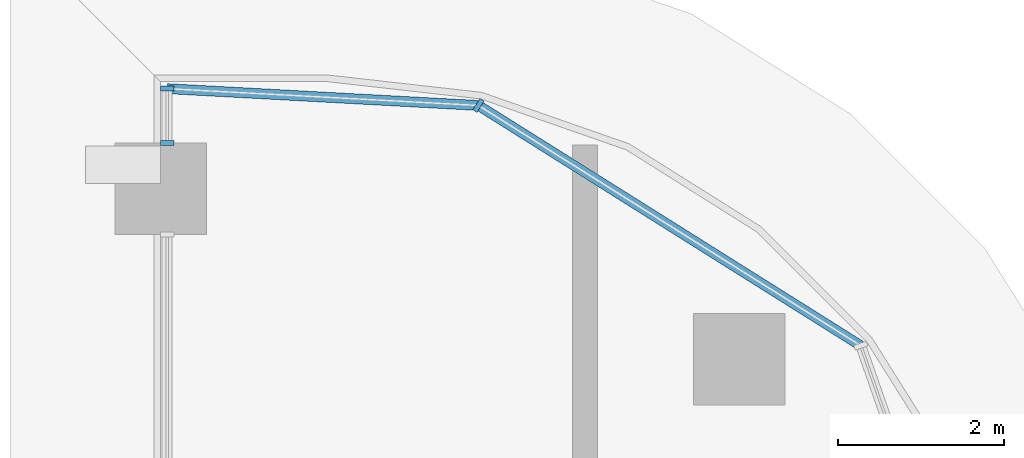
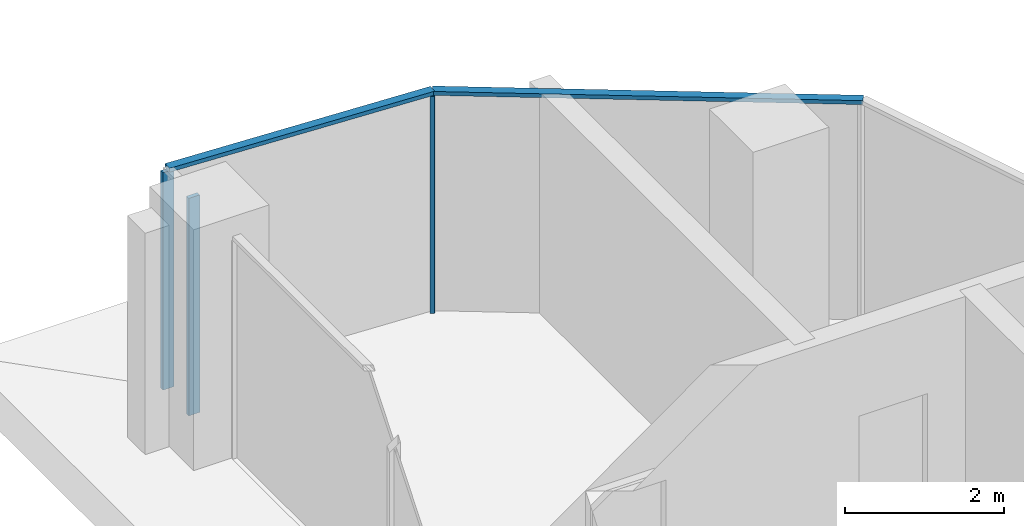
# One storey, part 5 of 27: 5 members, 2 elements without a shape of their own.
"""IFC4 building model written with IfcOpenShell, lengths in metres."""

import ifcopenshell
import ifcopenshell.guid

model = None  # the IFC model being written
_history = None  # IfcOwnerHistory: only IFC2X3 demands one
_inside = {}  # id of a spatial element -> (the spatial element, [elements in it])
_under = {}  # id of a project, library or spatial element -> (it, [spatial elements below it])
_declared = {}  # id of a project -> (the project, [libraries it declares])
_typed = {}  # id of a type object -> (the type object, [elements of that type])
_made_of = {}  # id of a material, layer set ... -> (it, [elements and type objects made of it])


def new_model(schema):
    """Start an empty IFC model of exactly this schema.

    Asked for "IFC4X3", IfcOpenShell would pick the latest addendum, in which some entities
    have other attributes; the version numbers below select the first issue.
    IFC2X3 requires an IfcOwnerHistory on every rooted entity: one is made here for all.
    """
    global model, _history
    if schema == "IFC4X3":
        model = ifcopenshell.file(schema_version=(4, 3, 0, 0))
    else:
        model = ifcopenshell.file(schema=schema)
    _inside.clear()
    _under.clear()
    _declared.clear()
    _typed.clear()
    _made_of.clear()
    _history = None
    if model.schema == "IFC2X3":
        org = make("IfcOrganization", Name="unknown")
        user = make(
            "IfcPersonAndOrganization",
            ThePerson=make("IfcPerson", FamilyName="unknown"),
            TheOrganization=org,
        )
        app = make(
            "IfcApplication",
            ApplicationDeveloper=org,
            Version="unknown",
            ApplicationFullName="unknown",
            ApplicationIdentifier="unknown",
        )
        _history = make(
            "IfcOwnerHistory",
            OwningUser=user,
            OwningApplication=app,
            ChangeAction="ADDED",
            CreationDate=0,
        )
    return model


def make(cls, **values):
    """One entity of the class cls with the attributes given. An attribute that is None is left unset."""
    return model.create_entity(
        cls, **{name: value for name, value in values.items() if value is not None}
    )


def rooted(cls, **values):
    """An entity with a GlobalId (a new one), such as an element, a storey or a relation."""
    return make(cls, GlobalId=ifcopenshell.guid.new(), OwnerHistory=_history, **values)


def si_unit(unit_type, name, prefix=None):
    """IfcSIUnit, for example si_unit("LENGTHUNIT", "METRE", prefix="MILLI")."""
    return make("IfcSIUnit", UnitType=unit_type, Prefix=prefix, Name=name)


def assignment(units):
    """IfcUnitAssignment: the units of a project."""
    return None if units is None else make("IfcUnitAssignment", Units=units)


def point(xyz):
    """IfcCartesianPoint."""
    return None if xyz is None else make("IfcCartesianPoint", Coordinates=xyz)


def direction(xyz):
    """IfcDirection."""
    return None if xyz is None else make("IfcDirection", DirectionRatios=xyz)


def frame(location, z_axis=None, x_axis=None):
    """IfcAxis2Placement3D, a coordinate frame: its origin and axes. An axis left out is left unset."""
    return make(
        "IfcAxis2Placement3D",
        Location=point(location),
        Axis=direction(z_axis),
        RefDirection=direction(x_axis),
    )


def frame_2d(location, x_axis=None):
    """IfcAxis2Placement2D, a coordinate frame in the plane: its origin and x axis."""
    return make(
        "IfcAxis2Placement2D", Location=point(location), RefDirection=direction(x_axis)
    )


def origin():
    """The frame at (0, 0, 0) with its axes left unset."""
    return frame((0.0, 0.0, 0.0))


def origin_2d():
    """The frame at (0, 0) in the plane with its x axis left unset."""
    return frame_2d((0.0, 0.0))


def place(relative_to, where):
    """IfcLocalPlacement: puts the frame where relative to a parent placement (None: the world)."""
    return make(
        "IfcLocalPlacement", PlacementRelTo=relative_to, RelativePlacement=where
    )


def context(
    kind, dimensions, precision=None, world=None, true_north=None, identifier=None
):
    """IfcGeometricRepresentationContext, for example the 3D "Model" context."""
    return make(
        "IfcGeometricRepresentationContext",
        ContextIdentifier=identifier,
        ContextType=kind,
        CoordinateSpaceDimension=dimensions,
        Precision=precision,
        WorldCoordinateSystem=world,
        TrueNorth=true_north,
    )


def subcontext(parent, identifier, kind, view, scale=None):
    """IfcGeometricRepresentationSubContext, for example "Body" below "Model"."""
    return make(
        "IfcGeometricRepresentationSubContext",
        ContextIdentifier=identifier,
        ContextType=kind,
        ParentContext=parent,
        TargetScale=scale,
        TargetView=view,
    )


def project(units=None, contexts=None):
    """IfcProject with its units and contexts."""
    return rooted(
        "IfcProject",
        Name="project",
        RepresentationContexts=contexts,
        UnitsInContext=assignment(units),
    )


def spatial(cls, under=None, at=None, **own):
    """A site, building, storey or space (cls), placed at a placement, below another one or the project."""
    s = rooted(cls, ObjectPlacement=at, **own)
    if under is not None:
        _under.setdefault(under.id(), (under, []))[1].append(s)
    return s


def profile(cls, at=None, kind="AREA", **sizes):
    """A parametric profile (cls). Its sizes go by their IFC names, for example OverallWidth=200.0."""
    return make(cls, ProfileType=kind, Position=at, **sizes)


def rectangle(**sizes):
    """IfcRectangleProfileDef."""
    return profile("IfcRectangleProfileDef", **sizes)


def extrude(swept, where, along, depth):
    """IfcExtrudedAreaSolid: the profile swept, set in the frame where, extruded along a direction by depth."""
    return make(
        "IfcExtrudedAreaSolid",
        SweptArea=swept,
        Position=where,
        ExtrudedDirection=direction(along),
        Depth=depth,
    )


def shape(context_of_items, identifier, shape_type, items):
    """IfcShapeRepresentation: the items that make up one representation, for example the "Body"."""
    return make(
        "IfcShapeRepresentation",
        ContextOfItems=context_of_items,
        RepresentationIdentifier=identifier,
        RepresentationType=shape_type,
        Items=items,
    )


def material(Name=None, Category=None):
    """IfcMaterial."""
    return make("IfcMaterial", Name=Name, Category=Category)


def material_profile(
    of_material, cross_section, Name=None, Category=None, Priority=None
):
    """IfcMaterialProfile: a cross section and its material."""
    return make(
        "IfcMaterialProfile",
        Name=Name,
        Material=of_material,
        Profile=cross_section,
        Priority=Priority,
        Category=Category,
    )


def profile_set(profiles, Name=None, composite=None):
    """IfcMaterialProfileSet."""
    return make(
        "IfcMaterialProfileSet",
        Name=Name,
        MaterialProfiles=profiles,
        CompositeProfile=composite,
    )


def made_of(thing, what):
    """Note that an element or type object is made of a material, layer set ...; save() writes the relation."""
    if what is not None:
        _made_of.setdefault(what.id(), (what, []))[1].append(thing)
    return thing


def type_object(cls, material=None, **own):
    """A type object (cls), such as IfcWallType, which elements share."""
    return made_of(rooted(cls, **own), material)


def element(
    cls,
    number,
    at=None,
    inside=None,
    cuts=None,
    type_object=None,
    material=None,
    context=None,
    identifier="Body",
    shape_type=None,
    held_by="IfcProductDefinitionShape",
    body=None,
    shapes=None,
    **own,
):
    """One element of the class cls, such as IfcWall. Its Tag is "e" and its number.

    at: its placement. inside: the storey or other place that contains it. cuts: it is an
    opening in that element (IfcRelVoidsElement). A single representation is given by context,
    identifier, shape_type and body (its items); several are given by shapes. held_by: the class
    of the entity that holds the representations. save() writes the other relations.
    """
    e = rooted(cls, Tag="e%d" % number, ObjectPlacement=at, **own)
    if body is not None:
        shapes = [shape(context, identifier, shape_type, body)]
    if shapes is not None:
        e.Representation = make(held_by, Representations=shapes)
    if inside is not None:
        _inside.setdefault(inside.id(), (inside, []))[1].append(e)
    if cuts is not None:
        rooted(
            "IfcRelVoidsElement", RelatingBuildingElement=cuts, RelatedOpeningElement=e
        )
    if type_object is not None:
        _typed.setdefault(type_object.id(), (type_object, []))[1].append(e)
    return made_of(e, material)


def aggregate(whole, parts):
    """IfcRelAggregates: a whole, such as a stair, and the parts it consists of."""
    return rooted("IfcRelAggregates", RelatingObject=whole, RelatedObjects=parts)


def save(model, path):
    """Write the relations noted so far, then the file.

    IfcRelAggregates (storeys below a building ...), IfcRelContainedInSpatialStructure (elements
    in a storey), IfcRelDefinesByType, IfcRelAssociatesMaterial and IfcRelDeclares: one each for
    every whole, place, type object, material and project.
    """
    for whole, parts in _under.values():
        aggregate(whole, parts)
    for where, things in _inside.values():
        rooted(
            "IfcRelContainedInSpatialStructure",
            RelatedElements=things,
            RelatingStructure=where,
        )
    for kind, things in _typed.values():
        rooted("IfcRelDefinesByType", RelatedObjects=things, RelatingType=kind)
    for what, things in _made_of.values():
        rooted("IfcRelAssociatesMaterial", RelatedObjects=things, RelatingMaterial=what)
    for by, libraries in _declared.values():
        rooted("IfcRelDeclares", RelatingContext=by, RelatedDefinitions=libraries)
    model.write(path)


model = new_model("IFC4")

# Units and contexts
model_context = context("Model", 3, precision=1e-05, world=origin(), true_north=direction((0.0, 1.0)))
body_context = subcontext(model_context, "Body", "Model", "MODEL_VIEW")
ifc_project = project(units=[si_unit("LENGTHUNIT", "METRE"), si_unit("AREAUNIT", "SQUARE_METRE"), si_unit("VOLUMEUNIT", "CUBIC_METRE"), si_unit("PLANEANGLEUNIT", "RADIAN"), si_unit("MASSUNIT", "GRAM", prefix="KILO")], contexts=[model_context])

# Site, building, storey
site_placement = place(None, origin())
site = spatial("IfcSite", under=ifc_project, at=site_placement, CompositionType="ELEMENT")
building_placement = place(site_placement, origin())
building = spatial("IfcBuilding", under=site, at=building_placement, Name="Ogive Portal Towers", CompositionType="ELEMENT")
storey_placement = place(building_placement, frame((0.0, 0.0, 160.699951171875)))
storey = spatial("IfcBuildingStorey", under=building, at=storey_placement, Name="L39", CompositionType="ELEMENT", Elevation=160.699951171875)

# Curtain wall, members
ifc_material_1 = material(Name="Glass, clear low-iron insulated glazing", Category="glass")
curtain_wall_type_1 = type_object("IfcCurtainWallType", Name="CW PORTAL REVEAL", PredefinedType="NOTDEFINED", material=ifc_material_1)
curtain_wall_1_placement = place(storey_placement, origin())
curtain_wall_1 = element("IfcCurtainWall", 1, at=curtain_wall_1_placement, inside=storey, type_object=curtain_wall_type_1, Name="A:L39:f22:cw0~0", PredefinedType="NOTDEFINED")
ifc_material_2 = material(Name="Aluminium 6063 anodised", Category="aluminium")
ifc_material_profile_1 = material_profile(ifc_material_2, rectangle(XDim=0.159912109375, YDim=0.06005859375, at=origin_2d()), Name="AL 60x160")
ifc_profile_set_1 = profile_set([ifc_material_profile_1], Name="Aluminium 6063 anodised")
member_type_1 = type_object("IfcMemberType", Name="CW MULLION 60x160", PredefinedType="MULLION", material=ifc_profile_set_1)
member_1_placement = place(storey_placement, frame((85.580078125, 40.700439453125, 0.0), z_axis=(0.0, 0.0, 1.0), x_axis=(1.0, 0.0, 0.0)))
member_1 = element("IfcMember", 2, at=member_1_placement, type_object=member_type_1, Name="mullion", PredefinedType="MULLION", context=body_context, shape_type="SweptSolid", body=[
    extrude(rectangle(XDim=0.159912109375, YDim=0.06005859375, at=origin_2d()), origin(), (0.0, 0.0, 1.0), 3.340087890625),
])
member_2_placement = place(storey_placement, frame((85.580078125, 40.050048828125, 0.0), z_axis=(0.0, 0.0, 1.0), x_axis=(1.0, 0.0, 0.0)))
member_2 = element("IfcMember", 3, at=member_2_placement, type_object=member_type_1, Name="mullion", PredefinedType="MULLION", context=body_context, shape_type="SweptSolid", body=[
    extrude(rectangle(XDim=0.159912109375, YDim=0.06005859375, at=origin_2d()), origin(), (0.0, 0.0, 1.0), 3.340087890625),
])
aggregate(curtain_wall_1, [member_1, member_2])

curtain_wall_type_2 = type_object("IfcCurtainWallType", Name="CW FRONT RIBBON 4500", PredefinedType="NOTDEFINED", material=ifc_material_1)
curtain_wall_2_placement = place(storey_placement, origin())
curtain_wall_2 = element("IfcCurtainWall", 4, at=curtain_wall_2_placement, inside=storey, type_object=curtain_wall_type_2, Name="A:L39:f27:cwa", PredefinedType="NOTDEFINED")
member_3_placement = place(storey_placement, frame((89.318603515625, 40.49853515625, 0.0), z_axis=(0.0, 0.0, 1.0), x_axis=(-0.532032076517, -0.846724199227, 0.0)))
member_3 = element("IfcMember", 5, at=member_3_placement, type_object=member_type_1, Name="mullion", PredefinedType="MULLION", context=body_context, shape_type="SweptSolid", body=[
    extrude(rectangle(XDim=0.159912109375, YDim=0.06005859375, at=origin_2d()), origin(), (0.0, 0.0, 1.0), 3.340087890625),
])
ifc_material_profile_2 = material_profile(ifc_material_2, rectangle(XDim=0.1201171875, YDim=0.06005859375, at=origin_2d()), Name="AL 120x60")
ifc_profile_set_2 = profile_set([ifc_material_profile_2], Name="Aluminium 6063 anodised")
member_type_2 = type_object("IfcMemberType", Name="CW TRANSOM 60x120", PredefinedType="USERDEFINED", material=ifc_profile_set_2)
member_4_placement = place(storey_placement, frame((93.9111328125, 37.61279296875, 3.3701171875), z_axis=(-0.846718819472, 0.532040638252, 0.0), x_axis=(-0.532040638252, -0.846718819472, 0.0)))
member_4 = element("IfcMember", 6, at=member_4_placement, type_object=member_type_2, Name="transom", ObjectType="TRANSOM", PredefinedType="USERDEFINED", context=body_context, shape_type="SweptSolid", body=[
    extrude(rectangle(XDim=0.1201171875, YDim=0.06005859375, at=origin_2d()), origin(), (0.0, 0.0, 1.0), 5.423828125),
])
member_5_placement = place(storey_placement, frame((89.318603515625, 40.49853515625, 3.3701171875), z_axis=(-0.998544836814, 0.053927811666, 0.0), x_axis=(-0.053927811666, -0.998544836814, 0.0)))
member_5 = element("IfcMember", 7, at=member_5_placement, type_object=member_type_2, Name="transom", ObjectType="TRANSOM", PredefinedType="USERDEFINED", context=body_context, shape_type="SweptSolid", body=[
    extrude(rectangle(XDim=0.1201171875, YDim=0.06005859375, at=origin_2d()), origin(), (0.0, 0.0, 1.0), 3.743896484375),
])
aggregate(curtain_wall_2, [member_4, member_5, member_3])

save(model, "model.ifc")
